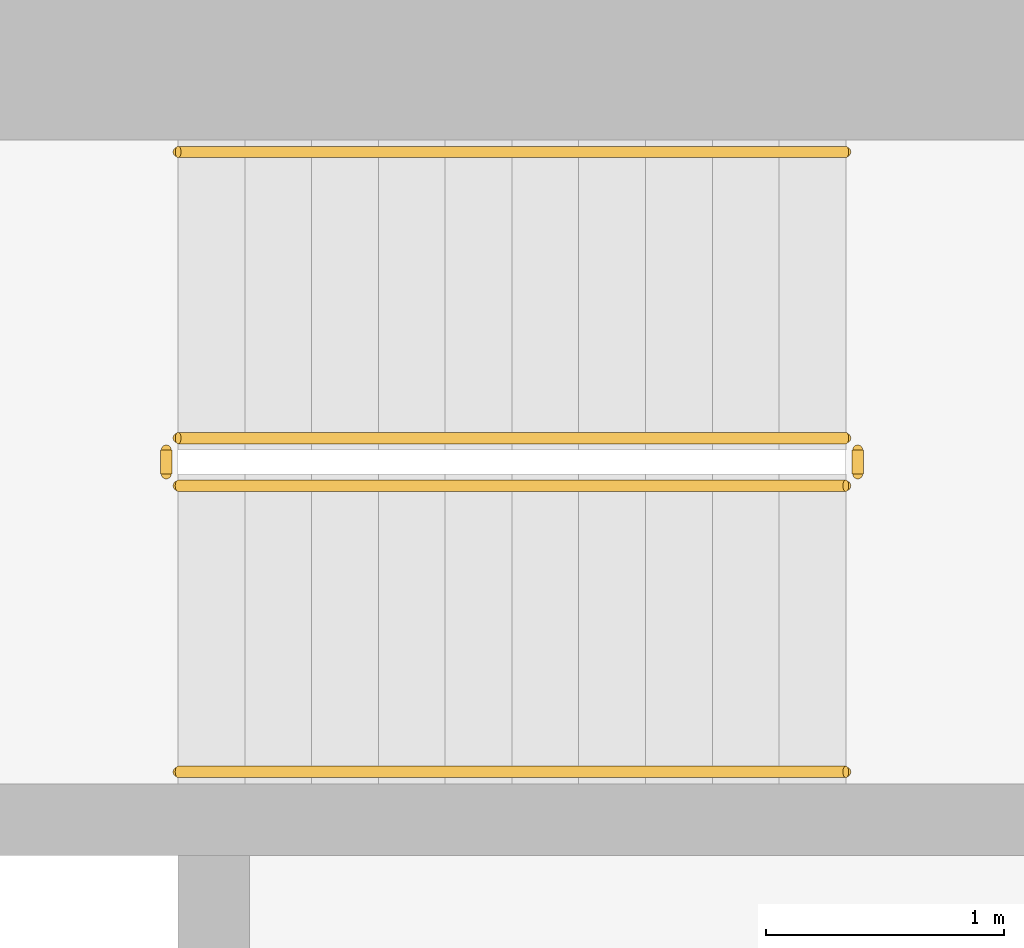
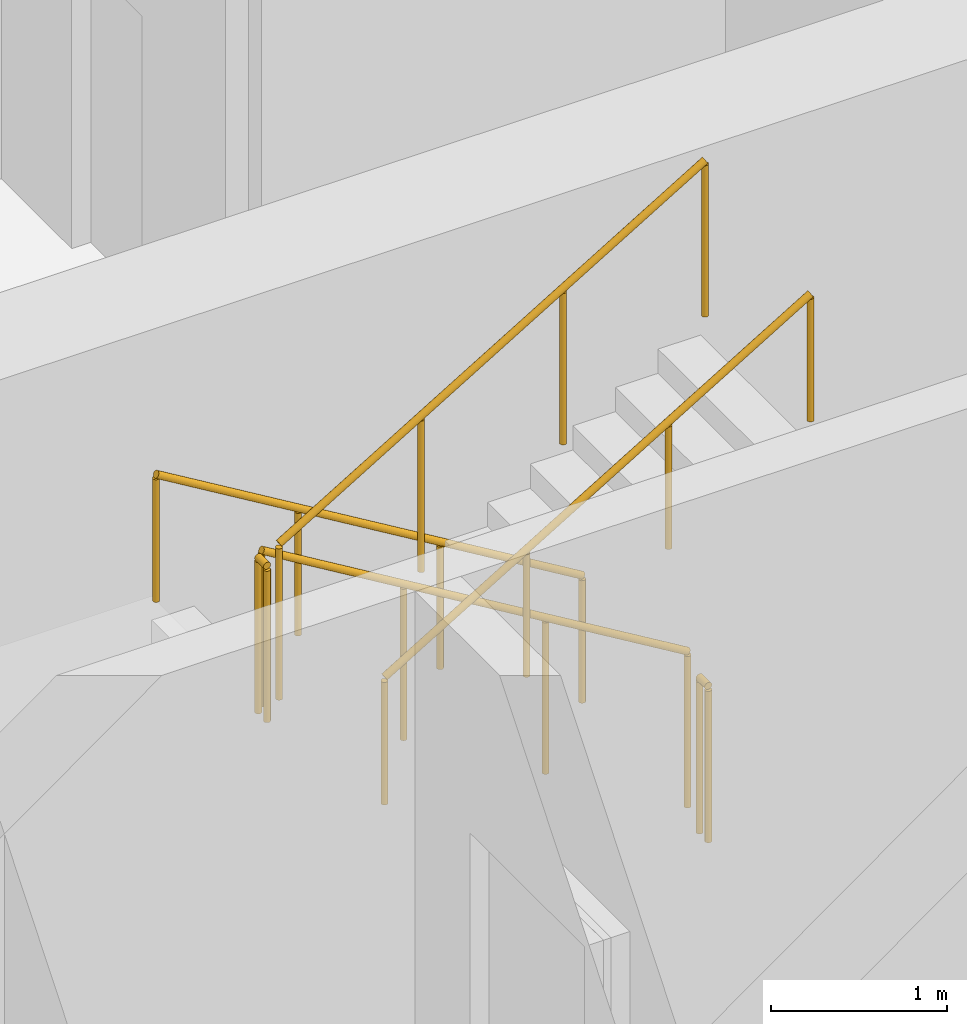
# One storey, part 17 of 23: 6 railings.
"""IFC4 building model written with IfcOpenShell, lengths in metres."""

import ifcopenshell
import ifcopenshell.guid

model = None  # the IFC model being written
_history = None  # IfcOwnerHistory: only IFC2X3 demands one
_inside = {}  # id of a spatial element -> (the spatial element, [elements in it])
_under = {}  # id of a project, library or spatial element -> (it, [spatial elements below it])
_declared = {}  # id of a project -> (the project, [libraries it declares])
_typed = {}  # id of a type object -> (the type object, [elements of that type])
_made_of = {}  # id of a material, layer set ... -> (it, [elements and type objects made of it])


def new_model(schema):
    """Start an empty IFC model of exactly this schema.

    Asked for "IFC4X3", IfcOpenShell would pick the latest addendum, in which some entities
    have other attributes; the version numbers below select the first issue.
    IFC2X3 requires an IfcOwnerHistory on every rooted entity: one is made here for all.
    """
    global model, _history
    if schema == "IFC4X3":
        model = ifcopenshell.file(schema_version=(4, 3, 0, 0))
    else:
        model = ifcopenshell.file(schema=schema)
    _inside.clear()
    _under.clear()
    _declared.clear()
    _typed.clear()
    _made_of.clear()
    _history = None
    if model.schema == "IFC2X3":
        org = make("IfcOrganization", Name="unknown")
        user = make(
            "IfcPersonAndOrganization",
            ThePerson=make("IfcPerson", FamilyName="unknown"),
            TheOrganization=org,
        )
        app = make(
            "IfcApplication",
            ApplicationDeveloper=org,
            Version="unknown",
            ApplicationFullName="unknown",
            ApplicationIdentifier="unknown",
        )
        _history = make(
            "IfcOwnerHistory",
            OwningUser=user,
            OwningApplication=app,
            ChangeAction="ADDED",
            CreationDate=0,
        )
    return model


def make(cls, **values):
    """One entity of the class cls with the attributes given. An attribute that is None is left unset."""
    return model.create_entity(
        cls, **{name: value for name, value in values.items() if value is not None}
    )


def rooted(cls, **values):
    """An entity with a GlobalId (a new one), such as an element, a storey or a relation."""
    return make(cls, GlobalId=ifcopenshell.guid.new(), OwnerHistory=_history, **values)


def si_unit(unit_type, name, prefix=None):
    """IfcSIUnit, for example si_unit("LENGTHUNIT", "METRE", prefix="MILLI")."""
    return make("IfcSIUnit", UnitType=unit_type, Prefix=prefix, Name=name)


def assignment(units):
    """IfcUnitAssignment: the units of a project."""
    return None if units is None else make("IfcUnitAssignment", Units=units)


def point(xyz):
    """IfcCartesianPoint."""
    return None if xyz is None else make("IfcCartesianPoint", Coordinates=xyz)


def direction(xyz):
    """IfcDirection."""
    return None if xyz is None else make("IfcDirection", DirectionRatios=xyz)


def frame(location, z_axis=None, x_axis=None):
    """IfcAxis2Placement3D, a coordinate frame: its origin and axes. An axis left out is left unset."""
    return make(
        "IfcAxis2Placement3D",
        Location=point(location),
        Axis=direction(z_axis),
        RefDirection=direction(x_axis),
    )


def frame_2d(location, x_axis=None):
    """IfcAxis2Placement2D, a coordinate frame in the plane: its origin and x axis."""
    return make(
        "IfcAxis2Placement2D", Location=point(location), RefDirection=direction(x_axis)
    )


def origin():
    """The frame at (0, 0, 0) with its axes left unset."""
    return frame((0.0, 0.0, 0.0))


def origin_2d():
    """The frame at (0, 0) in the plane with its x axis left unset."""
    return frame_2d((0.0, 0.0))


def place(relative_to, where):
    """IfcLocalPlacement: puts the frame where relative to a parent placement (None: the world)."""
    return make(
        "IfcLocalPlacement", PlacementRelTo=relative_to, RelativePlacement=where
    )


def context(
    kind, dimensions, precision=None, world=None, true_north=None, identifier=None
):
    """IfcGeometricRepresentationContext, for example the 3D "Model" context."""
    return make(
        "IfcGeometricRepresentationContext",
        ContextIdentifier=identifier,
        ContextType=kind,
        CoordinateSpaceDimension=dimensions,
        Precision=precision,
        WorldCoordinateSystem=world,
        TrueNorth=true_north,
    )


def subcontext(parent, identifier, kind, view, scale=None):
    """IfcGeometricRepresentationSubContext, for example "Body" below "Model"."""
    return make(
        "IfcGeometricRepresentationSubContext",
        ContextIdentifier=identifier,
        ContextType=kind,
        ParentContext=parent,
        TargetScale=scale,
        TargetView=view,
    )


def project(units=None, contexts=None):
    """IfcProject with its units and contexts."""
    return rooted(
        "IfcProject",
        Name="project",
        RepresentationContexts=contexts,
        UnitsInContext=assignment(units),
    )


def spatial(cls, under=None, at=None, **own):
    """A site, building, storey or space (cls), placed at a placement, below another one or the project."""
    s = rooted(cls, ObjectPlacement=at, **own)
    if under is not None:
        _under.setdefault(under.id(), (under, []))[1].append(s)
    return s


def profile(cls, at=None, kind="AREA", **sizes):
    """A parametric profile (cls). Its sizes go by their IFC names, for example OverallWidth=200.0."""
    return make(cls, ProfileType=kind, Position=at, **sizes)


def circle(**sizes):
    """IfcCircleProfileDef."""
    return profile("IfcCircleProfileDef", **sizes)


def extrude(swept, where, along, depth):
    """IfcExtrudedAreaSolid: the profile swept, set in the frame where, extruded along a direction by depth."""
    return make(
        "IfcExtrudedAreaSolid",
        SweptArea=swept,
        Position=where,
        ExtrudedDirection=direction(along),
        Depth=depth,
    )


def shape(context_of_items, identifier, shape_type, items):
    """IfcShapeRepresentation: the items that make up one representation, for example the "Body"."""
    return make(
        "IfcShapeRepresentation",
        ContextOfItems=context_of_items,
        RepresentationIdentifier=identifier,
        RepresentationType=shape_type,
        Items=items,
    )


def material(Name=None, Category=None):
    """IfcMaterial."""
    return make("IfcMaterial", Name=Name, Category=Category)


def made_of(thing, what):
    """Note that an element or type object is made of a material, layer set ...; save() writes the relation."""
    if what is not None:
        _made_of.setdefault(what.id(), (what, []))[1].append(thing)
    return thing


def type_object(cls, material=None, **own):
    """A type object (cls), such as IfcWallType, which elements share."""
    return made_of(rooted(cls, **own), material)


def element(
    cls,
    number,
    at=None,
    inside=None,
    cuts=None,
    type_object=None,
    material=None,
    context=None,
    identifier="Body",
    shape_type=None,
    held_by="IfcProductDefinitionShape",
    body=None,
    shapes=None,
    **own,
):
    """One element of the class cls, such as IfcWall. Its Tag is "e" and its number.

    at: its placement. inside: the storey or other place that contains it. cuts: it is an
    opening in that element (IfcRelVoidsElement). A single representation is given by context,
    identifier, shape_type and body (its items); several are given by shapes. held_by: the class
    of the entity that holds the representations. save() writes the other relations.
    """
    e = rooted(cls, Tag="e%d" % number, ObjectPlacement=at, **own)
    if body is not None:
        shapes = [shape(context, identifier, shape_type, body)]
    if shapes is not None:
        e.Representation = make(held_by, Representations=shapes)
    if inside is not None:
        _inside.setdefault(inside.id(), (inside, []))[1].append(e)
    if cuts is not None:
        rooted(
            "IfcRelVoidsElement", RelatingBuildingElement=cuts, RelatedOpeningElement=e
        )
    if type_object is not None:
        _typed.setdefault(type_object.id(), (type_object, []))[1].append(e)
    return made_of(e, material)


def aggregate(whole, parts):
    """IfcRelAggregates: a whole, such as a stair, and the parts it consists of."""
    return rooted("IfcRelAggregates", RelatingObject=whole, RelatedObjects=parts)


def save(model, path):
    """Write the relations noted so far, then the file.

    IfcRelAggregates (storeys below a building ...), IfcRelContainedInSpatialStructure (elements
    in a storey), IfcRelDefinesByType, IfcRelAssociatesMaterial and IfcRelDeclares: one each for
    every whole, place, type object, material and project.
    """
    for whole, parts in _under.values():
        aggregate(whole, parts)
    for where, things in _inside.values():
        rooted(
            "IfcRelContainedInSpatialStructure",
            RelatedElements=things,
            RelatingStructure=where,
        )
    for kind, things in _typed.values():
        rooted("IfcRelDefinesByType", RelatedObjects=things, RelatingType=kind)
    for what, things in _made_of.values():
        rooted("IfcRelAssociatesMaterial", RelatedObjects=things, RelatingMaterial=what)
    for by, libraries in _declared.values():
        rooted("IfcRelDeclares", RelatingContext=by, RelatedDefinitions=libraries)
    model.write(path)


model = new_model("IFC4")

# Units and contexts
model_context = context("Model", 3, precision=1e-05, world=origin(), true_north=direction((0.0, 1.0)))
body_context = subcontext(model_context, "Body", "Model", "MODEL_VIEW")
ifc_project = project(units=[si_unit("LENGTHUNIT", "METRE"), si_unit("AREAUNIT", "SQUARE_METRE"), si_unit("VOLUMEUNIT", "CUBIC_METRE"), si_unit("PLANEANGLEUNIT", "RADIAN"), si_unit("MASSUNIT", "GRAM", prefix="KILO")], contexts=[model_context])

# Site, building, storey
site_placement = place(None, origin())
site = spatial("IfcSite", under=ifc_project, at=site_placement, CompositionType="ELEMENT")
building_placement = place(site_placement, origin())
building = spatial("IfcBuilding", under=site, at=building_placement, Name="Ogive Portal Towers", CompositionType="ELEMENT")
storey_placement = place(building_placement, frame((0.0, 0.0, 127.800048828125)))
storey = spatial("IfcBuildingStorey", under=building, at=storey_placement, Name="L31", CompositionType="ELEMENT", Elevation=127.800048828125)

# Railings
ifc_material_1 = material(Name="Stainless steel balustrade", Category="steel")
railing_type_1 = type_object("IfcRailingType", Name="INT-GUARD", PredefinedType="GUARDRAIL", material=ifc_material_1)
railing_1_placement = place(storey_placement, frame((37.449951171875, 37.800048828125, 0.168212890625)))
element("IfcRailing", 1, at=railing_1_placement, inside=storey, type_object=railing_type_1, Name="L31 ST-A1 stair guard 1", PredefinedType="GUARDRAIL", context=body_context, shape_type="SweptSolid", body=[
    extrude(circle(Radius=0.02392578125, at=origin_2d()), frame((0.0, 0.0, 1.076171875), z_axis=(-0.857275202839, 0.0, 0.514858452973), x_axis=(0.0, -1.0, 0.0)), (0.0, 0.0, 1.0), 3.26611328125),
    extrude(circle(Radius=0.02099609375, at=origin_2d()), origin(), (0.0, 0.0, 1.0), 1.052001953125),
    extrude(circle(Radius=0.02099609375, at=origin_2d()), frame((-0.933349609375, 0.0, 0.560546875)), (0.0, 0.0, 1.0), 1.052001953125),
    extrude(circle(Radius=0.02099609375, at=origin_2d()), frame((-1.86669921875, 0.0, 1.12109375)), (0.0, 0.0, 1.0), 1.052001953125),
    extrude(circle(Radius=0.02099609375, at=origin_2d()), frame((-2.800048828125, 0.0, 1.681640625)), (0.0, 0.0, 1.0), 1.052001953125),
])
railing_2_placement = place(storey_placement, frame((34.60009765625, 37.75, 1.849853515625)))
element("IfcRailing", 2, at=railing_2_placement, inside=storey, type_object=railing_type_1, Name="L31 ST-A1 stair guard 2", PredefinedType="GUARDRAIL", context=body_context, shape_type="SweptSolid", body=[
    extrude(circle(Radius=0.02392578125, at=origin_2d()), frame((0.0, 0.0, 1.076171875), z_axis=(0.0, -1.0, 0.0), x_axis=(1.0, 0.0, 0.0)), (0.0, 0.0, 1.0), 0.10009765625),
    extrude(circle(Radius=0.02099609375, at=origin_2d()), origin(), (0.0, 0.0, 1.0), 1.052001953125),
    extrude(circle(Radius=0.02099609375, at=origin_2d()), frame((0.0, -0.10009765625, 0.0)), (0.0, 0.0, 1.0), 1.052001953125),
])
railing_3_placement = place(storey_placement, frame((34.64990234375, 37.60009765625, 2.01806640625)))
element("IfcRailing", 3, at=railing_3_placement, inside=storey, type_object=railing_type_1, Name="L31 ST-A1 stair guard 3", PredefinedType="GUARDRAIL", context=body_context, shape_type="SweptSolid", body=[
    extrude(circle(Radius=0.02392578125, at=origin_2d()), frame((0.0, 0.0, 1.076171875), z_axis=(0.857242210791, 0.0, 0.514913383045), x_axis=(0.0, 1.0, 0.0)), (0.0, 0.0, 1.0), 3.266357421875),
    extrude(circle(Radius=0.02099609375, at=origin_2d()), origin(), (0.0, 0.0, 1.0), 1.052001953125),
    extrude(circle(Radius=0.02099609375, at=origin_2d()), frame((0.933349609375, 0.0, 0.560546875)), (0.0, 0.0, 1.0), 1.052001953125),
    extrude(circle(Radius=0.02099609375, at=origin_2d()), frame((1.86669921875, 0.0, 1.121337890625)), (0.0, 0.0, 1.0), 1.052001953125),
    extrude(circle(Radius=0.02099609375, at=origin_2d()), frame((2.800048828125, 0.0, 1.681884765625)), (0.0, 0.0, 1.0), 1.052001953125),
])
railing_4_placement = place(storey_placement, frame((37.5, 37.75, 0.0)))
element("IfcRailing", 4, at=railing_4_placement, inside=storey, type_object=railing_type_1, Name="L31 ST-A1 stair guard 4", PredefinedType="GUARDRAIL", context=body_context, shape_type="SweptSolid", body=[
    extrude(circle(Radius=0.02392578125, at=origin_2d()), frame((0.0, 0.0, 1.076171875), z_axis=(0.0, -1.0, 0.0), x_axis=(1.0, 0.0, 0.0)), (0.0, 0.0, 1.0), 0.10009765625),
    extrude(circle(Radius=0.02099609375, at=origin_2d()), origin(), (0.0, 0.0, 1.0), 1.052001953125),
    extrude(circle(Radius=0.02099609375, at=origin_2d()), frame((0.0, -0.10009765625, 0.0)), (0.0, 0.0, 1.0), 1.052001953125),
])
ifc_material_2 = material(Name="Stainless steel handrail", Category="steel")
railing_type_2 = type_object("IfcRailingType", Name="INT-HANDRAIL", PredefinedType="HANDRAIL", material=ifc_material_2)
railing_5_placement = place(storey_placement, frame((37.449951171875, 39.0, 0.168212890625)))
element("IfcRailing", 5, at=railing_5_placement, inside=storey, type_object=railing_type_2, Name="L31 ST-A1 stair handrail 1", PredefinedType="HANDRAIL", context=body_context, shape_type="SweptSolid", body=[
    extrude(circle(Radius=0.02392578125, at=origin_2d()), frame((0.0, 0.0, 0.8759765625), z_axis=(-0.857275202839, 0.0, 0.514858452973), x_axis=(0.0, -1.0, 0.0)), (0.0, 0.0, 1.0), 3.26611328125),
    extrude(circle(Radius=0.02099609375, at=origin_2d()), origin(), (0.0, 0.0, 1.0), 0.851806640625),
    extrude(circle(Radius=0.02099609375, at=origin_2d()), frame((-0.933349609375, 0.0, 0.560546875)), (0.0, 0.0, 1.0), 0.851806640625),
    extrude(circle(Radius=0.02099609375, at=origin_2d()), frame((-1.86669921875, 0.0, 1.12109375)), (0.0, 0.0, 1.0), 0.851806640625),
    extrude(circle(Radius=0.02099609375, at=origin_2d()), frame((-2.800048828125, 0.0, 1.681640625)), (0.0, 0.0, 1.0), 0.851806640625),
])
railing_6_placement = place(storey_placement, frame((34.64990234375, 36.39990234375, 2.01806640625)))
element("IfcRailing", 6, at=railing_6_placement, inside=storey, type_object=railing_type_2, Name="L31 ST-A1 stair handrail 2", PredefinedType="HANDRAIL", context=body_context, shape_type="SweptSolid", body=[
    extrude(circle(Radius=0.02392578125, at=origin_2d()), frame((0.0, 0.0, 0.8759765625), z_axis=(0.857242210791, 0.0, 0.514913383045), x_axis=(0.0, 1.0, 0.0)), (0.0, 0.0, 1.0), 3.266357421875),
    extrude(circle(Radius=0.02099609375, at=origin_2d()), origin(), (0.0, 0.0, 1.0), 0.851806640625),
    extrude(circle(Radius=0.02099609375, at=origin_2d()), frame((0.933349609375, 0.0, 0.560546875)), (0.0, 0.0, 1.0), 0.851806640625),
    extrude(circle(Radius=0.02099609375, at=origin_2d()), frame((1.86669921875, 0.0, 1.121337890625)), (0.0, 0.0, 1.0), 0.851806640625),
    extrude(circle(Radius=0.02099609375, at=origin_2d()), frame((2.800048828125, 0.0, 1.681884765625)), (0.0, 0.0, 1.0), 0.851806640625),
])

save(model, "model.ifc")
